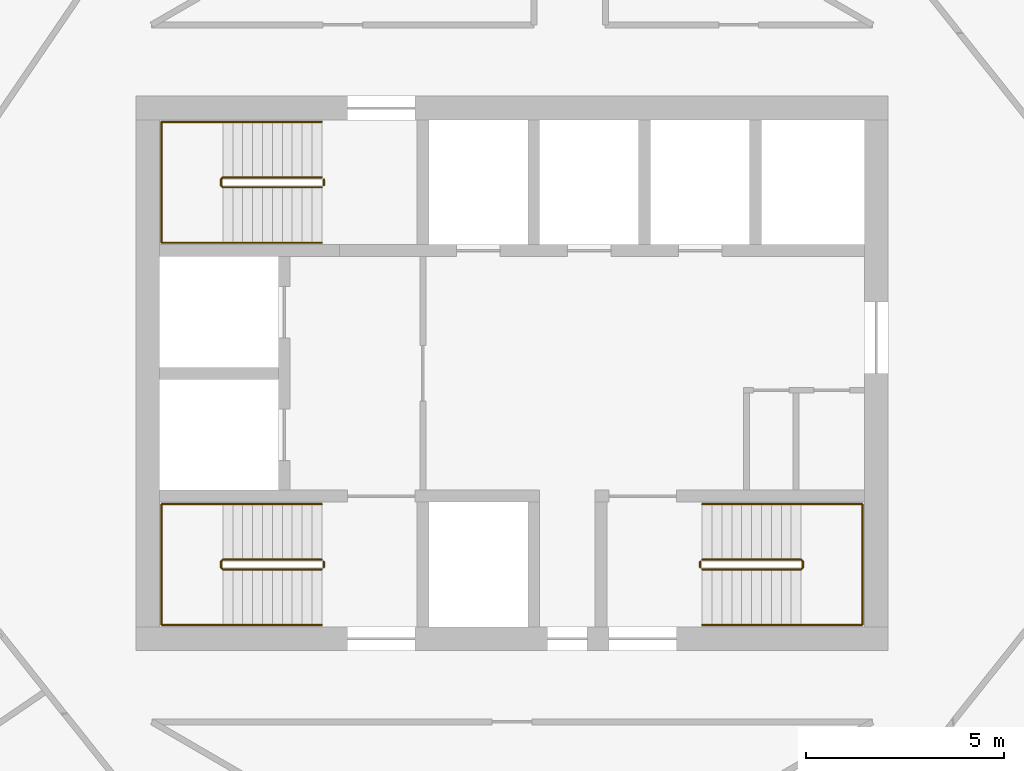
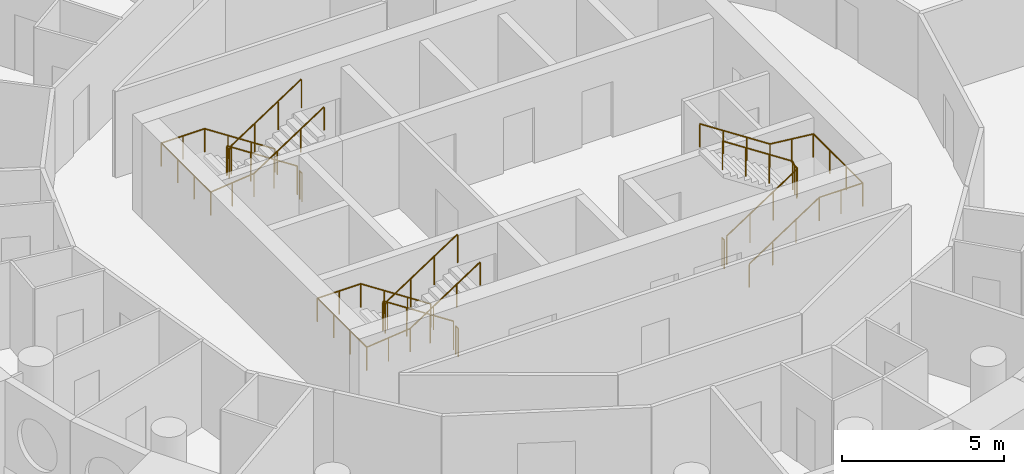
# One storey, part 11 of 11: 9 railings.
"""IFC4 building model written with IfcOpenShell, lengths in metres."""

from ifc_helpers import new_model, si_unit, direction, frame, origin, origin_2d, place, context, subcontext, project, spatial, circle, extrude, material, type_object, element, save


model = new_model("IFC4")

# Units and contexts
model_context = context("Model", 3, precision=1e-05, world=origin(), true_north=direction((0.0, 1.0)))
body_context = subcontext(model_context, "Body", "Model", "MODEL_VIEW")
ifc_project = project(units=[si_unit("LENGTHUNIT", "METRE"), si_unit("AREAUNIT", "SQUARE_METRE"), si_unit("VOLUMEUNIT", "CUBIC_METRE"), si_unit("PLANEANGLEUNIT", "RADIAN"), si_unit("MASSUNIT", "GRAM", prefix="KILO")], contexts=[model_context])

# Site, building, storey
site_placement = place(None, origin())
site = spatial("IfcSite", under=ifc_project, at=site_placement, CompositionType="ELEMENT")
building_placement = place(site_placement, origin())
building = spatial("IfcBuilding", under=site, at=building_placement, Name="Tracery Tower", CompositionType="ELEMENT")
storey_placement = place(building_placement, frame((0.0, 0.0, 263.39990234375)))
storey = spatial("IfcBuildingStorey", under=building, at=storey_placement, Name="L68", CompositionType="ELEMENT", Elevation=263.39990234375)

# Railings
ifc_material_1 = material(Name="Stainless steel and laminated glass", Category="steel")
railing_type_1 = type_object("IfcRailingType", Name="Stair guard 1100", PredefinedType="GUARDRAIL", material=ifc_material_1)
railing_1_placement = place(storey_placement, frame((-4.800048828125, -4.699951171875, 0.163818359375)))
element("IfcRailing", 1, at=railing_1_placement, inside=storey, type_object=railing_type_1, Name="L68 stair ST1 guard 1", PredefinedType="GUARDRAIL", context=body_context, shape_type="SweptSolid", body=[
    extrude(circle(Radius=0.02392578125, at=origin_2d()), frame((0.0, 0.0, 1.076171875), z_axis=(-0.836721939367, 0.0, 0.547627972425), x_axis=(0.0, -1.0, 0.0)), (0.0, 0.0, 1.0), 2.98779296875),
    extrude(circle(Radius=0.02392578125, at=origin_2d()), frame((-2.5, 0.0, 2.71240234375), z_axis=(-0.707106781187, -0.707106781187, 0.0), x_axis=(0.707106781187, -0.707106781187, 0.0)), (0.0, 0.0, 1.0), 0.07080078125),
    extrude(circle(Radius=0.02392578125, at=origin_2d()), frame((-2.550048828125, -0.050048828125, 2.71240234375), z_axis=(0.0, -1.0, 0.0), x_axis=(1.0, 0.0, 0.0)), (0.0, 0.0, 1.0), 0.14990234375),
    extrude(circle(Radius=0.02392578125, at=origin_2d()), frame((-2.550048828125, -0.199951171875, 2.71240234375), z_axis=(0.280808744504, -0.280808744504, 0.917765164963), x_axis=(0.707106781187, 0.707106781187, 0.0)), (0.0, 0.0, 1.0), 0.17822265625),
    extrude(circle(Radius=0.02392578125, at=origin_2d()), frame((-2.5, -0.25, 2.8759765625), z_axis=(0.83668449804, 0.0, 0.54768517484), x_axis=(0.0, 1.0, 0.0)), (0.0, 0.0, 1.0), 2.988037109375),
    extrude(circle(Radius=0.02099609375, at=origin_2d()), origin(), (0.0, 0.0, 1.0), 1.052001953125),
    extrude(circle(Radius=0.02099609375, at=origin_2d()), frame((-0.833251953125, 0.0, 0.54541015625)), (0.0, 0.0, 1.0), 1.052001953125),
    extrude(circle(Radius=0.02099609375, at=origin_2d()), frame((-1.666748046875, 0.0, 1.0908203125)), (0.0, 0.0, 1.0), 1.052001953125),
    extrude(circle(Radius=0.02099609375, at=origin_2d()), frame((-2.5, 0.0, 1.63623046875)), (0.0, 0.0, 1.0), 1.052001953125),
    extrude(circle(Radius=0.02099609375, at=origin_2d()), frame((-2.550048828125, -0.050048828125, 1.63623046875)), (0.0, 0.0, 1.0), 1.052001953125),
    extrude(circle(Radius=0.02099609375, at=origin_2d()), frame((-2.550048828125, -0.199951171875, 1.63623046875)), (0.0, 0.0, 1.0), 1.052001953125),
    extrude(circle(Radius=0.02099609375, at=origin_2d()), frame((-2.5, -0.25, 1.7998046875)), (0.0, 0.0, 1.0), 1.052001953125),
    extrude(circle(Radius=0.02099609375, at=origin_2d()), frame((-1.666748046875, -0.25, 2.34521484375)), (0.0, 0.0, 1.0), 1.052001953125),
    extrude(circle(Radius=0.02099609375, at=origin_2d()), frame((-0.833251953125, -0.25, 2.890869140625)), (0.0, 0.0, 1.0), 1.052001953125),
    extrude(circle(Radius=0.02099609375, at=origin_2d()), frame((0.0, -0.25, 3.436279296875)), (0.0, 0.0, 1.0), 1.052001953125),
])
railing_2_placement = place(storey_placement, frame((-4.75, -4.75, 0.0)))
element("IfcRailing", 2, at=railing_2_placement, inside=storey, type_object=railing_type_1, Name="L68 stair ST1 guard 2", PredefinedType="GUARDRAIL", context=body_context, shape_type="SweptSolid", body=[
    extrude(circle(Radius=0.02392578125, at=origin_2d()), frame((0.0, 0.0, 1.076171875), z_axis=(0.0, -1.0, 0.0), x_axis=(1.0, 0.0, 0.0)), (0.0, 0.0, 1.0), 0.14990234375),
    extrude(circle(Radius=0.02099609375, at=origin_2d()), origin(), (0.0, 0.0, 1.0), 1.052001953125),
    extrude(circle(Radius=0.02099609375, at=origin_2d()), frame((0.0, -0.14990234375, 0.0)), (0.0, 0.0, 1.0), 1.052001953125),
])
railing_3_placement = place(storey_placement, frame((-4.800048828125, 4.949951171875, 0.163818359375)))
element("IfcRailing", 3, at=railing_3_placement, inside=storey, type_object=railing_type_1, Name="L68 stair ST3 guard 1", PredefinedType="GUARDRAIL", context=body_context, shape_type="SweptSolid", body=[
    extrude(circle(Radius=0.02392578125, at=origin_2d()), frame((0.0, 0.0, 1.076171875), z_axis=(-0.836721939367, 0.0, 0.547627972425), x_axis=(0.0, -1.0, 0.0)), (0.0, 0.0, 1.0), 2.98779296875),
    extrude(circle(Radius=0.02392578125, at=origin_2d()), frame((-2.5, 0.0, 2.71240234375), z_axis=(-0.707106781187, -0.707106781187, 0.0), x_axis=(0.707106781187, -0.707106781187, 0.0)), (0.0, 0.0, 1.0), 0.07080078125),
    extrude(circle(Radius=0.02392578125, at=origin_2d()), frame((-2.550048828125, -0.050048828125, 2.71240234375), z_axis=(0.0, -1.0, 0.0), x_axis=(1.0, 0.0, 0.0)), (0.0, 0.0, 1.0), 0.14990234375),
    extrude(circle(Radius=0.02392578125, at=origin_2d()), frame((-2.550048828125, -0.199951171875, 2.71240234375), z_axis=(0.280808744504, -0.280808744504, 0.917765164963), x_axis=(0.707106781187, 0.707106781187, 0.0)), (0.0, 0.0, 1.0), 0.17822265625),
    extrude(circle(Radius=0.02392578125, at=origin_2d()), frame((-2.5, -0.25, 2.8759765625), z_axis=(0.83668449804, 0.0, 0.54768517484), x_axis=(0.0, 1.0, 0.0)), (0.0, 0.0, 1.0), 2.988037109375),
    extrude(circle(Radius=0.02099609375, at=origin_2d()), origin(), (0.0, 0.0, 1.0), 1.052001953125),
    extrude(circle(Radius=0.02099609375, at=origin_2d()), frame((-0.833251953125, 0.0, 0.54541015625)), (0.0, 0.0, 1.0), 1.052001953125),
    extrude(circle(Radius=0.02099609375, at=origin_2d()), frame((-1.666748046875, 0.0, 1.0908203125)), (0.0, 0.0, 1.0), 1.052001953125),
    extrude(circle(Radius=0.02099609375, at=origin_2d()), frame((-2.5, 0.0, 1.63623046875)), (0.0, 0.0, 1.0), 1.052001953125),
    extrude(circle(Radius=0.02099609375, at=origin_2d()), frame((-2.550048828125, -0.050048828125, 1.63623046875)), (0.0, 0.0, 1.0), 1.052001953125),
    extrude(circle(Radius=0.02099609375, at=origin_2d()), frame((-2.550048828125, -0.199951171875, 1.63623046875)), (0.0, 0.0, 1.0), 1.052001953125),
    extrude(circle(Radius=0.02099609375, at=origin_2d()), frame((-2.5, -0.25, 1.7998046875)), (0.0, 0.0, 1.0), 1.052001953125),
    extrude(circle(Radius=0.02099609375, at=origin_2d()), frame((-1.666748046875, -0.25, 2.34521484375)), (0.0, 0.0, 1.0), 1.052001953125),
    extrude(circle(Radius=0.02099609375, at=origin_2d()), frame((-0.833251953125, -0.25, 2.890869140625)), (0.0, 0.0, 1.0), 1.052001953125),
    extrude(circle(Radius=0.02099609375, at=origin_2d()), frame((0.0, -0.25, 3.436279296875)), (0.0, 0.0, 1.0), 1.052001953125),
])
railing_4_placement = place(storey_placement, frame((-4.75, 4.89990234375, 0.0)))
element("IfcRailing", 4, at=railing_4_placement, inside=storey, type_object=railing_type_1, Name="L68 stair ST3 guard 2", PredefinedType="GUARDRAIL", context=body_context, shape_type="SweptSolid", body=[
    extrude(circle(Radius=0.02392578125, at=origin_2d()), frame((0.0, 0.0, 1.076171875), z_axis=(0.0, -1.0, 0.0), x_axis=(1.0, 0.0, 0.0)), (0.0, 0.0, 1.0), 0.14990234375),
    extrude(circle(Radius=0.02099609375, at=origin_2d()), origin(), (0.0, 0.0, 1.0), 1.052001953125),
    extrude(circle(Radius=0.02099609375, at=origin_2d()), frame((0.0, -0.14990234375, 0.0)), (0.0, 0.0, 1.0), 1.052001953125),
])
railing_5_placement = place(storey_placement, frame((4.800048828125, -4.949951171875, 0.163818359375)))
element("IfcRailing", 5, at=railing_5_placement, inside=storey, type_object=railing_type_1, Name="L68 stair ST2 guard 1", PredefinedType="GUARDRAIL", context=body_context, shape_type="SweptSolid", body=[
    extrude(circle(Radius=0.02392578125, at=origin_2d()), frame((0.0, 0.0, 1.076171875), z_axis=(0.836721939367, 0.0, 0.547627972425), x_axis=(0.0, 1.0, 0.0)), (0.0, 0.0, 1.0), 2.98779296875),
    extrude(circle(Radius=0.02392578125, at=origin_2d()), frame((2.5, 0.0, 2.71240234375), z_axis=(0.707106781187, 0.707106781187, 0.0), x_axis=(-0.707106781187, 0.707106781187, 0.0)), (0.0, 0.0, 1.0), 0.07080078125),
    extrude(circle(Radius=0.02392578125, at=origin_2d()), frame((2.550048828125, 0.050048828125, 2.71240234375), z_axis=(0.0, 1.0, 0.0), x_axis=(-1.0, 0.0, 0.0)), (0.0, 0.0, 1.0), 0.14990234375),
    extrude(circle(Radius=0.02392578125, at=origin_2d()), frame((2.550048828125, 0.199951171875, 2.71240234375), z_axis=(-0.280808744504, 0.280808744504, 0.917765164963), x_axis=(-0.707106781187, -0.707106781187, 0.0)), (0.0, 0.0, 1.0), 0.17822265625),
    extrude(circle(Radius=0.02392578125, at=origin_2d()), frame((2.5, 0.25, 2.8759765625), z_axis=(-0.83668449804, 0.0, 0.54768517484), x_axis=(0.0, -1.0, 0.0)), (0.0, 0.0, 1.0), 2.988037109375),
    extrude(circle(Radius=0.02099609375, at=origin_2d()), origin(), (0.0, 0.0, 1.0), 1.052001953125),
    extrude(circle(Radius=0.02099609375, at=origin_2d()), frame((0.833251953125, 0.0, 0.54541015625)), (0.0, 0.0, 1.0), 1.052001953125),
    extrude(circle(Radius=0.02099609375, at=origin_2d()), frame((1.666748046875, 0.0, 1.0908203125)), (0.0, 0.0, 1.0), 1.052001953125),
    extrude(circle(Radius=0.02099609375, at=origin_2d()), frame((2.5, 0.0, 1.63623046875)), (0.0, 0.0, 1.0), 1.052001953125),
    extrude(circle(Radius=0.02099609375, at=origin_2d()), frame((2.550048828125, 0.050048828125, 1.63623046875)), (0.0, 0.0, 1.0), 1.052001953125),
    extrude(circle(Radius=0.02099609375, at=origin_2d()), frame((2.550048828125, 0.199951171875, 1.63623046875)), (0.0, 0.0, 1.0), 1.052001953125),
    extrude(circle(Radius=0.02099609375, at=origin_2d()), frame((2.5, 0.25, 1.7998046875)), (0.0, 0.0, 1.0), 1.052001953125),
    extrude(circle(Radius=0.02099609375, at=origin_2d()), frame((1.666748046875, 0.25, 2.34521484375)), (0.0, 0.0, 1.0), 1.052001953125),
    extrude(circle(Radius=0.02099609375, at=origin_2d()), frame((0.833251953125, 0.25, 2.890869140625)), (0.0, 0.0, 1.0), 1.052001953125),
    extrude(circle(Radius=0.02099609375, at=origin_2d()), frame((0.0, 0.25, 3.436279296875)), (0.0, 0.0, 1.0), 1.052001953125),
])
railing_6_placement = place(storey_placement, frame((4.75, -4.89990234375, 0.0)))
element("IfcRailing", 6, at=railing_6_placement, inside=storey, type_object=railing_type_1, Name="L68 stair ST2 guard 2", PredefinedType="GUARDRAIL", context=body_context, shape_type="SweptSolid", body=[
    extrude(circle(Radius=0.02392578125, at=origin_2d()), frame((0.0, 0.0, 1.076171875), z_axis=(0.0, 1.0, 0.0), x_axis=(-1.0, 0.0, 0.0)), (0.0, 0.0, 1.0), 0.14990234375),
    extrude(circle(Radius=0.02099609375, at=origin_2d()), origin(), (0.0, 0.0, 1.0), 1.052001953125),
    extrude(circle(Radius=0.02099609375, at=origin_2d()), frame((0.0, 0.14990234375, 0.0)), (0.0, 0.0, 1.0), 1.052001953125),
])
ifc_material_2 = material(Name="Stainless steel and laminated glass", Category="steel")
railing_type_2 = type_object("IfcRailingType", Name="Stair handrail 900", PredefinedType="HANDRAIL", material=ifc_material_2)
railing_7_placement = place(storey_placement, frame((-4.800048828125, -3.300048828125, 0.163818359375)))
element("IfcRailing", 7, at=railing_7_placement, inside=storey, type_object=railing_type_2, Name="L68 stair ST1 handrail 1", PredefinedType="HANDRAIL", context=body_context, shape_type="SweptSolid", body=[
    extrude(circle(Radius=0.02392578125, at=origin_2d()), frame((0.0, 0.0, 0.8759765625), z_axis=(-0.836721939367, 0.0, 0.547627972425), x_axis=(0.0, -1.0, 0.0)), (0.0, 0.0, 1.0), 2.98779296875),
    extrude(circle(Radius=0.02392578125, at=origin_2d()), frame((-2.5, 0.0, 2.51220703125), z_axis=(-1.0, 0.0, 0.0), x_axis=(0.0, -1.0, 0.0)), (0.0, 0.0, 1.0), 1.550048828125),
    extrude(circle(Radius=0.02392578125, at=origin_2d()), frame((-4.050048828125, 0.0, 2.51220703125), z_axis=(0.0, -1.0, 0.0), x_axis=(1.0, 0.0, 0.0)), (0.0, 0.0, 1.0), 3.050048828125),
    extrude(circle(Radius=0.02392578125, at=origin_2d()), frame((-4.050048828125, -3.050048828125, 2.51220703125), z_axis=(0.994477953863, 0.0, 0.104945696817), x_axis=(0.0, 1.0, 0.0)), (0.0, 0.0, 1.0), 1.55859375),
    extrude(circle(Radius=0.02392578125, at=origin_2d()), frame((-2.5, -3.050048828125, 2.67578125), z_axis=(0.83668449804, 0.0, 0.54768517484), x_axis=(0.0, 1.0, 0.0)), (0.0, 0.0, 1.0), 2.988037109375),
    extrude(circle(Radius=0.02099609375, at=origin_2d()), origin(), (0.0, 0.0, 1.0), 0.851806640625),
    extrude(circle(Radius=0.02099609375, at=origin_2d()), frame((-0.833251953125, 0.0, 0.54541015625)), (0.0, 0.0, 1.0), 0.851806640625),
    extrude(circle(Radius=0.02099609375, at=origin_2d()), frame((-1.666748046875, 0.0, 1.0908203125)), (0.0, 0.0, 1.0), 0.851806640625),
    extrude(circle(Radius=0.02099609375, at=origin_2d()), frame((-2.5, 0.0, 1.63623046875)), (0.0, 0.0, 1.0), 0.851806640625),
    extrude(circle(Radius=0.02099609375, at=origin_2d()), frame((-3.27490234375, 0.0, 1.63623046875)), (0.0, 0.0, 1.0), 0.851806640625),
    extrude(circle(Radius=0.02099609375, at=origin_2d()), frame((-4.050048828125, 0.0, 1.63623046875)), (0.0, 0.0, 1.0), 0.851806640625),
    extrude(circle(Radius=0.02099609375, at=origin_2d()), frame((-4.050048828125, -1.0166015625, 1.63623046875)), (0.0, 0.0, 1.0), 0.851806640625),
    extrude(circle(Radius=0.02099609375, at=origin_2d()), frame((-4.050048828125, -2.033447265625, 1.63623046875)), (0.0, 0.0, 1.0), 0.851806640625),
    extrude(circle(Radius=0.02099609375, at=origin_2d()), frame((-4.050048828125, -3.050048828125, 1.63623046875)), (0.0, 0.0, 1.0), 0.851806640625),
    extrude(circle(Radius=0.02099609375, at=origin_2d()), frame((-3.27490234375, -3.050048828125, 1.718017578125)), (0.0, 0.0, 1.0), 0.851806640625),
    extrude(circle(Radius=0.02099609375, at=origin_2d()), frame((-2.5, -3.050048828125, 1.7998046875)), (0.0, 0.0, 1.0), 0.851806640625),
    extrude(circle(Radius=0.02099609375, at=origin_2d()), frame((-1.666748046875, -3.050048828125, 2.34521484375)), (0.0, 0.0, 1.0), 0.851806640625),
    extrude(circle(Radius=0.02099609375, at=origin_2d()), frame((-0.833251953125, -3.050048828125, 2.890869140625)), (0.0, 0.0, 1.0), 0.851806640625),
    extrude(circle(Radius=0.02099609375, at=origin_2d()), frame((0.0, -3.050048828125, 3.436279296875)), (0.0, 0.0, 1.0), 0.851806640625),
])
railing_8_placement = place(storey_placement, frame((-4.800048828125, 6.35009765625, 0.163818359375)))
element("IfcRailing", 8, at=railing_8_placement, inside=storey, type_object=railing_type_2, Name="L68 stair ST3 handrail 1", PredefinedType="HANDRAIL", context=body_context, shape_type="SweptSolid", body=[
    extrude(circle(Radius=0.02392578125, at=origin_2d()), frame((0.0, 0.0, 0.8759765625), z_axis=(-0.836721939367, 0.0, 0.547627972425), x_axis=(0.0, -1.0, 0.0)), (0.0, 0.0, 1.0), 2.98779296875),
    extrude(circle(Radius=0.02392578125, at=origin_2d()), frame((-2.5, 0.0, 2.51220703125), z_axis=(-1.0, 0.0, 0.0), x_axis=(0.0, -1.0, 0.0)), (0.0, 0.0, 1.0), 1.550048828125),
    extrude(circle(Radius=0.02392578125, at=origin_2d()), frame((-4.050048828125, 0.0, 2.51220703125), z_axis=(0.0, -1.0, 0.0), x_axis=(1.0, 0.0, 0.0)), (0.0, 0.0, 1.0), 3.050048828125),
    extrude(circle(Radius=0.02392578125, at=origin_2d()), frame((-4.050048828125, -3.050048828125, 2.51220703125), z_axis=(0.994477953863, 0.0, 0.104945696817), x_axis=(0.0, 1.0, 0.0)), (0.0, 0.0, 1.0), 1.55859375),
    extrude(circle(Radius=0.02392578125, at=origin_2d()), frame((-2.5, -3.050048828125, 2.67578125), z_axis=(0.83668449804, 0.0, 0.54768517484), x_axis=(0.0, 1.0, 0.0)), (0.0, 0.0, 1.0), 2.988037109375),
    extrude(circle(Radius=0.02099609375, at=origin_2d()), origin(), (0.0, 0.0, 1.0), 0.851806640625),
    extrude(circle(Radius=0.02099609375, at=origin_2d()), frame((-0.833251953125, 0.0, 0.54541015625)), (0.0, 0.0, 1.0), 0.851806640625),
    extrude(circle(Radius=0.02099609375, at=origin_2d()), frame((-1.666748046875, 0.0, 1.0908203125)), (0.0, 0.0, 1.0), 0.851806640625),
    extrude(circle(Radius=0.02099609375, at=origin_2d()), frame((-2.5, 0.0, 1.63623046875)), (0.0, 0.0, 1.0), 0.851806640625),
    extrude(circle(Radius=0.02099609375, at=origin_2d()), frame((-3.27490234375, 0.0, 1.63623046875)), (0.0, 0.0, 1.0), 0.851806640625),
    extrude(circle(Radius=0.02099609375, at=origin_2d()), frame((-4.050048828125, 0.0, 1.63623046875)), (0.0, 0.0, 1.0), 0.851806640625),
    extrude(circle(Radius=0.02099609375, at=origin_2d()), frame((-4.050048828125, -1.0166015625, 1.63623046875)), (0.0, 0.0, 1.0), 0.851806640625),
    extrude(circle(Radius=0.02099609375, at=origin_2d()), frame((-4.050048828125, -2.033447265625, 1.63623046875)), (0.0, 0.0, 1.0), 0.851806640625),
    extrude(circle(Radius=0.02099609375, at=origin_2d()), frame((-4.050048828125, -3.050048828125, 1.63623046875)), (0.0, 0.0, 1.0), 0.851806640625),
    extrude(circle(Radius=0.02099609375, at=origin_2d()), frame((-3.27490234375, -3.050048828125, 1.718017578125)), (0.0, 0.0, 1.0), 0.851806640625),
    extrude(circle(Radius=0.02099609375, at=origin_2d()), frame((-2.5, -3.050048828125, 1.7998046875)), (0.0, 0.0, 1.0), 0.851806640625),
    extrude(circle(Radius=0.02099609375, at=origin_2d()), frame((-1.666748046875, -3.050048828125, 2.34521484375)), (0.0, 0.0, 1.0), 0.851806640625),
    extrude(circle(Radius=0.02099609375, at=origin_2d()), frame((-0.833251953125, -3.050048828125, 2.890869140625)), (0.0, 0.0, 1.0), 0.851806640625),
    extrude(circle(Radius=0.02099609375, at=origin_2d()), frame((0.0, -3.050048828125, 3.436279296875)), (0.0, 0.0, 1.0), 0.851806640625),
])
railing_9_placement = place(storey_placement, frame((4.800048828125, -6.35009765625, 0.163818359375)))
element("IfcRailing", 9, at=railing_9_placement, inside=storey, type_object=railing_type_2, Name="L68 stair ST2 handrail 1", PredefinedType="HANDRAIL", context=body_context, shape_type="SweptSolid", body=[
    extrude(circle(Radius=0.02392578125, at=origin_2d()), frame((0.0, 0.0, 0.8759765625), z_axis=(0.836721939367, 0.0, 0.547627972425), x_axis=(0.0, 1.0, 0.0)), (0.0, 0.0, 1.0), 2.98779296875),
    extrude(circle(Radius=0.02392578125, at=origin_2d()), frame((2.5, 0.0, 2.51220703125), z_axis=(1.0, 0.0, 0.0), x_axis=(0.0, 1.0, 0.0)), (0.0, 0.0, 1.0), 1.550048828125),
    extrude(circle(Radius=0.02392578125, at=origin_2d()), frame((4.050048828125, 0.0, 2.51220703125), z_axis=(0.0, 1.0, 0.0), x_axis=(-1.0, 0.0, 0.0)), (0.0, 0.0, 1.0), 3.050048828125),
    extrude(circle(Radius=0.02392578125, at=origin_2d()), frame((4.050048828125, 3.050048828125, 2.51220703125), z_axis=(-0.994477953863, 0.0, 0.104945696817), x_axis=(0.0, -1.0, 0.0)), (0.0, 0.0, 1.0), 1.55859375),
    extrude(circle(Radius=0.02392578125, at=origin_2d()), frame((2.5, 3.050048828125, 2.67578125), z_axis=(-0.83668449804, 0.0, 0.54768517484), x_axis=(0.0, -1.0, 0.0)), (0.0, 0.0, 1.0), 2.988037109375),
    extrude(circle(Radius=0.02099609375, at=origin_2d()), origin(), (0.0, 0.0, 1.0), 0.851806640625),
    extrude(circle(Radius=0.02099609375, at=origin_2d()), frame((0.833251953125, 0.0, 0.54541015625)), (0.0, 0.0, 1.0), 0.851806640625),
    extrude(circle(Radius=0.02099609375, at=origin_2d()), frame((1.666748046875, 0.0, 1.0908203125)), (0.0, 0.0, 1.0), 0.851806640625),
    extrude(circle(Radius=0.02099609375, at=origin_2d()), frame((2.5, 0.0, 1.63623046875)), (0.0, 0.0, 1.0), 0.851806640625),
    extrude(circle(Radius=0.02099609375, at=origin_2d()), frame((3.27490234375, 0.0, 1.63623046875)), (0.0, 0.0, 1.0), 0.851806640625),
    extrude(circle(Radius=0.02099609375, at=origin_2d()), frame((4.050048828125, 0.0, 1.63623046875)), (0.0, 0.0, 1.0), 0.851806640625),
    extrude(circle(Radius=0.02099609375, at=origin_2d()), frame((4.050048828125, 1.0166015625, 1.63623046875)), (0.0, 0.0, 1.0), 0.851806640625),
    extrude(circle(Radius=0.02099609375, at=origin_2d()), frame((4.050048828125, 2.033447265625, 1.63623046875)), (0.0, 0.0, 1.0), 0.851806640625),
    extrude(circle(Radius=0.02099609375, at=origin_2d()), frame((4.050048828125, 3.050048828125, 1.63623046875)), (0.0, 0.0, 1.0), 0.851806640625),
    extrude(circle(Radius=0.02099609375, at=origin_2d()), frame((3.27490234375, 3.050048828125, 1.718017578125)), (0.0, 0.0, 1.0), 0.851806640625),
    extrude(circle(Radius=0.02099609375, at=origin_2d()), frame((2.5, 3.050048828125, 1.7998046875)), (0.0, 0.0, 1.0), 0.851806640625),
    extrude(circle(Radius=0.02099609375, at=origin_2d()), frame((1.666748046875, 3.050048828125, 2.34521484375)), (0.0, 0.0, 1.0), 0.851806640625),
    extrude(circle(Radius=0.02099609375, at=origin_2d()), frame((0.833251953125, 3.050048828125, 2.890869140625)), (0.0, 0.0, 1.0), 0.851806640625),
    extrude(circle(Radius=0.02099609375, at=origin_2d()), frame((0.0, 3.050048828125, 3.436279296875)), (0.0, 0.0, 1.0), 0.851806640625),
])

save(model, "model.ifc")
